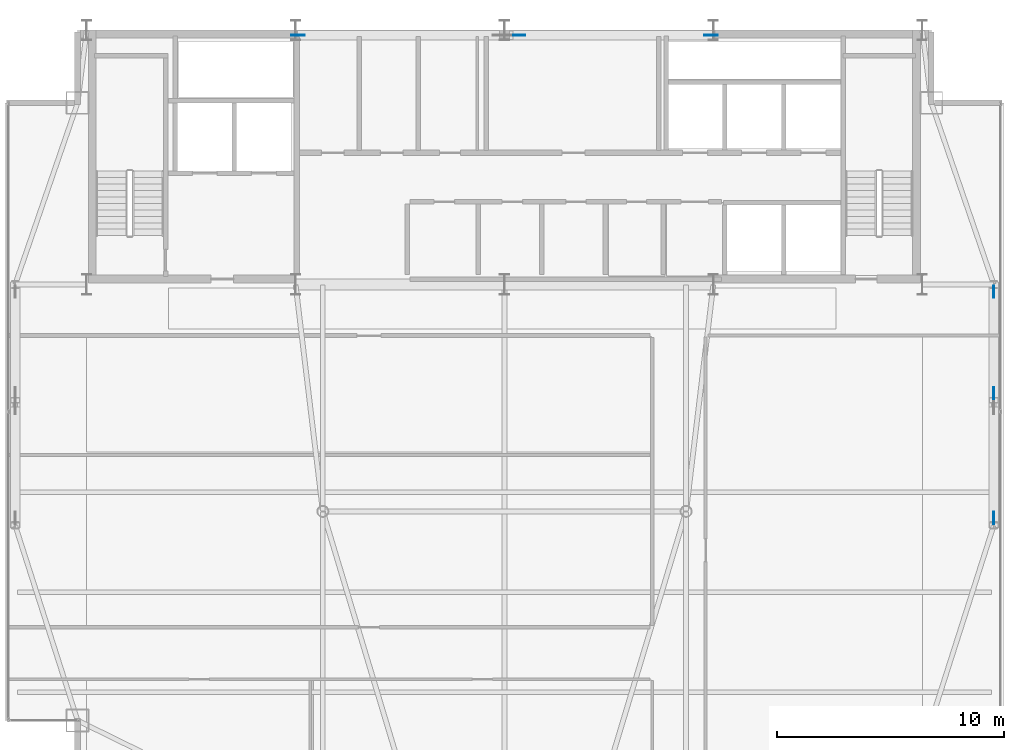
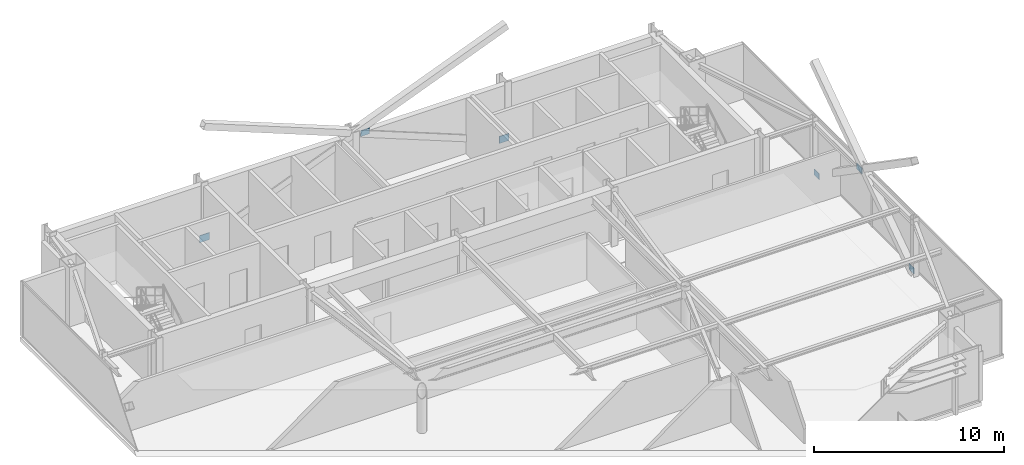
# One storey, part 20 of 25: 6 plates.
"""IFC4 building model written with IfcOpenShell, lengths in metres."""

from ifc_helpers import new_model, si_unit, direction, frame, origin, origin_2d, place, context, subcontext, project, spatial, rectangle, extrude, source, transform, mapped, material, layer, layer_set, type_object, type_shapes, element, save


model = new_model("IFC4")

# Units and contexts
model_context = context("Model", 3, precision=1e-05, world=origin(), true_north=direction((0.0, 1.0)))
body_context = subcontext(model_context, "Body", "Model", "MODEL_VIEW")
ifc_project = project(units=[si_unit("LENGTHUNIT", "METRE"), si_unit("AREAUNIT", "SQUARE_METRE"), si_unit("VOLUMEUNIT", "CUBIC_METRE"), si_unit("PLANEANGLEUNIT", "RADIAN"), si_unit("MASSUNIT", "GRAM", prefix="KILO")], contexts=[model_context])

# Site, building, storey
site_placement = place(None, origin())
site = spatial("IfcSite", under=ifc_project, at=site_placement, CompositionType="ELEMENT")
building_placement = place(site_placement, origin())
building = spatial("IfcBuilding", under=site, at=building_placement, Name="Varnel Quay Broadcast Tower", CompositionType="ELEMENT")
storey_placement = place(building_placement, frame((0.0, 0.0, 288.800048828125)))
storey = spatial("IfcBuildingStorey", under=building, at=storey_placement, Name="L72", CompositionType="ELEMENT", Elevation=288.800048828125)

# Plates
ifc_material = material(Name="Structural Steel CSA G40.21 350WT", Category="steel")
ifc_layer_1 = layer(ifc_material, 0.031982421875, Name="Structural Steel CSA G40.21 350WT")
ifc_layer_set_1 = layer_set([ifc_layer_1], Name="Structural Steel CSA G40.21 350WT")
plate_type_1 = type_object("IfcPlateType", Name="Plate_EndCap", PredefinedType="USERDEFINED", material=ifc_layer_set_1)
shared_shape_1 = source(origin(), body_context, "Body", "SweptSolid", [
    extrude(rectangle(XDim=0.5400390625, YDim=0.031982421875, at=origin_2d()), origin(), (0.0, 0.0, 1.0), 0.3798828125),
])
type_shapes(plate_type_1, [shared_shape_1])
for number, where, z_axis, x_axis, name in (
    (1, (34.6513671875, 46.580078125, 3.226318359375), (0.0, 0.0, 1.0), (1.0, 0.0, 0.0), "Zone 5 Mega-Brace N-CT3 Diag B1 End Connection Plate P1"),
    (2, (55.550048828125, 25.312744140625, 0.045654296875), (0.0, 0.0, 1.0), (0.0, 1.0, 0.0), "Zone 5 Mega-Brace E-FT3 Diag A End Connection Plate P0"),
    (3, (55.550048828125, 35.287109375, 0.045654296875), (0.0, 0.0, 1.0), (0.0, 1.0, 0.0), "Zone 5 Mega-Brace E-FT3 Diag B1 End Connection Plate P0"),
    (4, (55.550048828125, 30.812255859375, 3.1318359375), (0.0, 0.0, 1.0), (0.0, 1.0, 0.0), "Zone 5 Mega-Brace E-FT3 Diag B1 End Connection Plate P1"),
):
    element("IfcPlate", number, at=place(storey_placement, frame(where, z_axis=z_axis, x_axis=x_axis)), inside=storey, type_object=plate_type_1, Name=name, ObjectType="CAP_PLATE", PredefinedType="USERDEFINED", context=body_context, shape_type="MappedRepresentation", body=[
        mapped(shared_shape_1, transform((0.0, 0.0, 0.0), x_axis=(1.0, 0.0, 0.0), y_axis=(0.0, 1.0, 0.0), z_axis=(0.0, 0.0, 1.0), scale=1.0)),
    ])
ifc_layer_2 = layer(ifc_material, 0.0400390625, Name="Structural Steel CSA G40.21 350WT")
ifc_layer_set_2 = layer_set([ifc_layer_2], Name="Structural Steel CSA G40.21 350WT")
plate_type_2 = type_object("IfcPlateType", Name="Plate_EmbedPlate", PredefinedType="USERDEFINED", material=ifc_layer_set_2)
shared_shape_2 = source(origin(), body_context, "Body", "SweptSolid", [
    extrude(rectangle(XDim=0.60009765625, YDim=0.0400390625, at=origin_2d()), origin(), (0.0, 0.0, 1.0), 0.449951171875),
])
type_shapes(plate_type_2, [shared_shape_2])
for number, where, z_axis, x_axis, name in (
    (5, (24.91162109375, 46.580078125, -0.16064453125), (0.0, 0.0, 1.0), (1.0, 0.0, 0.0), "Zone 5 Mega-Brace N-CT3 Diag A Wall Cast-In Embed Plate P0"),
    (6, (43.08837890625, 46.580078125, -0.16064453125), (0.0, 0.0, 1.0), (1.0, 0.0, 0.0), "Zone 5 Mega-Brace N-CT3 Diag B1 Wall Cast-In Embed Plate P0"),
):
    element("IfcPlate", number, at=place(storey_placement, frame(where, z_axis=z_axis, x_axis=x_axis)), inside=storey, type_object=plate_type_2, Name=name, ObjectType="EMBED_PLATE", PredefinedType="USERDEFINED", context=body_context, shape_type="MappedRepresentation", body=[
        mapped(shared_shape_2, transform((0.0, 0.0, 0.0), x_axis=(1.0, 0.0, 0.0), y_axis=(0.0, 1.0, 0.0), z_axis=(0.0, 0.0, 1.0), scale=1.0)),
    ])

save(model, "model.ifc")
